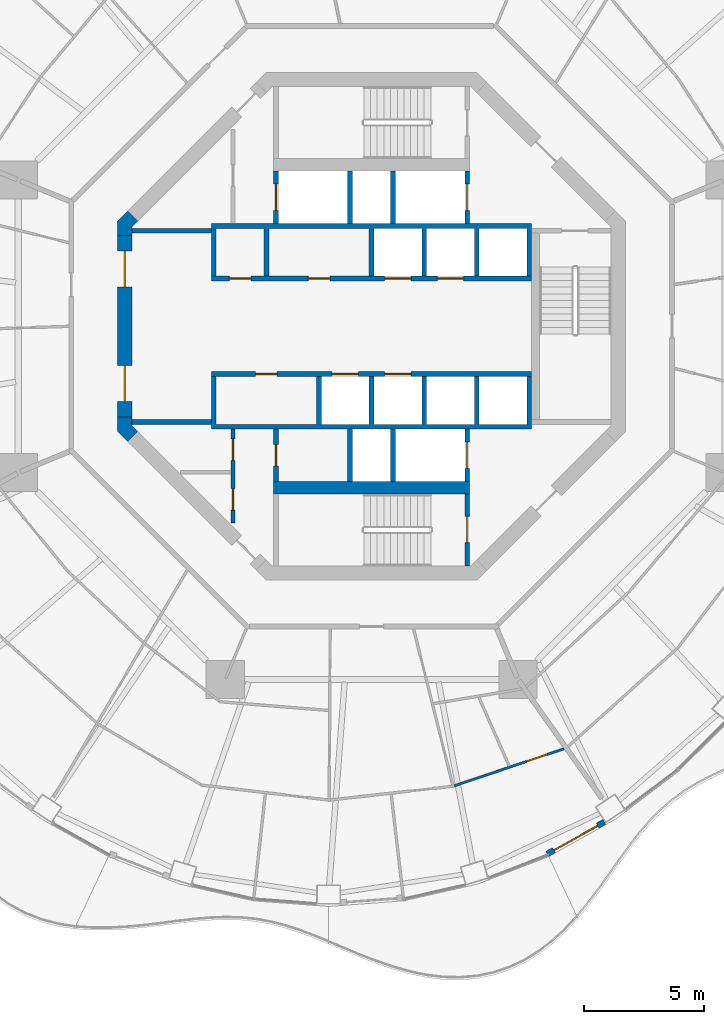
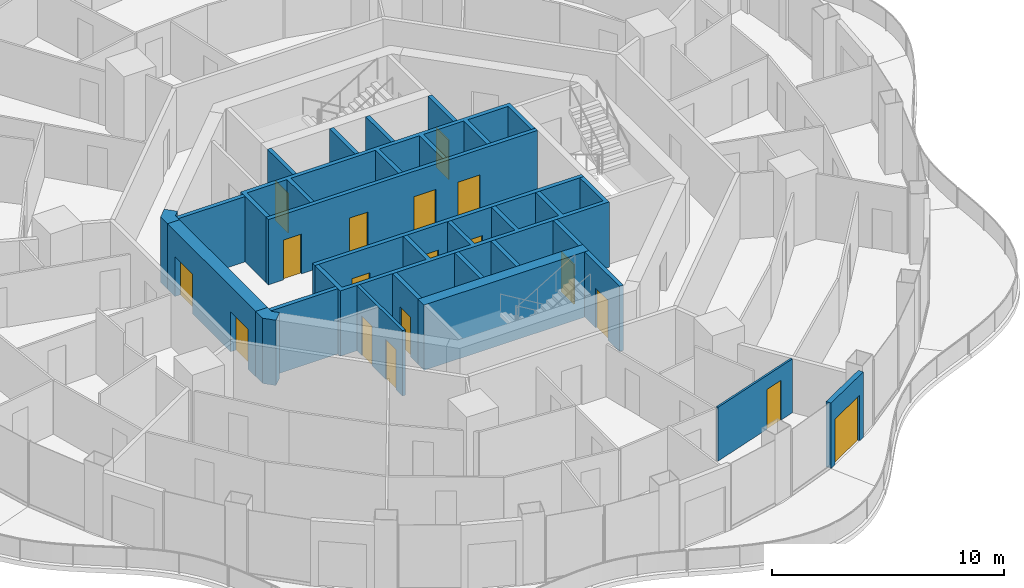
# One storey, part 11 of 18: 22 walls, 18 doors, 18 openings.
"""IFC4 building model written with IfcOpenShell, lengths in metres."""

from ifc_helpers import new_model, si_unit, direction, frame, frame_2d, origin, place, context, subcontext, project, spatial, polyline, rectangle, outline, extrude, material, layer, layer_set, type_object, element, fill, save


model = new_model("IFC4")

# Units and contexts
model_context = context("Model", 3, precision=1e-05, world=origin(), true_north=direction((0.0, 1.0)))
body_context = subcontext(model_context, "Body", "Model", "MODEL_VIEW")
ifc_project = project(units=[si_unit("LENGTHUNIT", "METRE"), si_unit("AREAUNIT", "SQUARE_METRE"), si_unit("VOLUMEUNIT", "CUBIC_METRE"), si_unit("PLANEANGLEUNIT", "RADIAN"), si_unit("MASSUNIT", "GRAM", prefix="KILO")], contexts=[model_context])

# Site, building, storey
site_placement = place(None, origin())
site = spatial("IfcSite", under=ifc_project, at=site_placement, CompositionType="ELEMENT")
building_placement = place(site_placement, origin())
building = spatial("IfcBuilding", under=site, at=building_placement, Name="Nagisa Residences", CompositionType="ELEMENT")
storey_placement = place(building_placement, frame((0.0, 0.0, 215.89990234375)))
storey = spatial("IfcBuildingStorey", under=building, at=storey_placement, Name="L54", CompositionType="ELEMENT", Elevation=215.89990234375)

# Wall, opening, door
ifc_material_1 = material(Name="Gypsum board on steel studs", Category="steel")
ifc_layer_1 = layer(ifc_material_1, 0.10009765625)
ifc_layer_set_1 = layer_set([ifc_layer_1], Name="Apartment partition 100")
wall_type_1 = type_object("IfcWallType", Name="Apartment partition 100", PredefinedType="PARTITIONING", material=ifc_layer_set_1)
wall_1_placement = place(storey_placement, frame((3.453125, -19.228759765625, 0.0), z_axis=(0.0, 0.0, 1.0), x_axis=(0.947565610716, 0.31956128268, 0.0)))
wall_1 = element("IfcWall", 1, at=wall_1_placement, inside=storey, type_object=wall_type_1, Name="wall:L54:u80", PredefinedType="PARTITIONING", context=body_context, shape_type="SweptSolid", body=[
    extrude(rectangle(XDim=4.852783203125, YDim=0.10009765625, at=frame_2d((2.42626953125, 0.0))), origin(), (0.0, 0.0, 1.0), 2.837158203125),
])
opening_1_placement = place(wall_1_placement, frame((3.2021484375, 0.0, 0.0)))
opening_1 = element("IfcOpeningElement", 2, at=opening_1_placement, cuts=wall_1, Name="Opening L54-U38", PredefinedType="OPENING", context=body_context, shape_type="SweptSolid", body=[
    extrude(rectangle(XDim=0.89990234375, YDim=2.10009765625, at=frame_2d((0.449951171875, 1.050048828125))), frame((0.0, 0.06005859375, 0.0), z_axis=(0.0, -1.0, 0.0), x_axis=(1.0, 0.0, 0.0)), (0.0, 0.0, 1.0), 0.1201171875),
])
ifc_material_2 = material(Name="Timber door set", Category="wood")
door_type_1 = type_object("IfcDoorType", Name="Apartment door 900x2100", OperationType="NOTDEFINED", PredefinedType="DOOR", material=ifc_material_2)
door_1_placement = place(opening_1_placement, origin())
door_1 = element("IfcDoor", 3, at=door_1_placement, inside=storey, type_object=door_type_1, Name="Door to en-suite bathroom, Apartment 54C", OperationType="SINGLE_SWING_RIGHT", OverallHeight=2.10009765625, OverallWidth=0.89990234375, PredefinedType="DOOR", context=body_context, shape_type="SweptSolid", body=[
    extrude(rectangle(XDim=0.89990234375, YDim=2.10009765625, at=frame_2d((0.449951171875, 1.050048828125))), frame((0.0, 0.02490234375, 0.0), z_axis=(0.0, -1.0, 0.0), x_axis=(1.0, 0.0, 0.0)), (0.0, 0.0, 1.0), 0.050048828125),
])
fill(opening_1, door_1)

ifc_material_3 = material(Name="Precast concrete C40/50", Category="concrete")
ifc_layer_2 = layer(ifc_material_3, 0.25)
ifc_layer_set_2 = layer_set([ifc_layer_2], Name="BALCONY DOOR WALL 250")
wall_type_2 = type_object("IfcWallType", Name="BALCONY DOOR WALL 250", PredefinedType="SOLIDWALL", material=ifc_layer_set_2)
wall_2_placement = place(storey_placement, frame((9.73779296875, -20.738525390625, 0.0), z_axis=(0.0, 0.0, 1.0), x_axis=(-0.872079929129, -0.489363461254, 0.0)))
wall_2 = element("IfcWall", 4, at=wall_2_placement, inside=storey, type_object=wall_type_2, Name="wall:L54:bay39", PredefinedType="SOLIDWALL", context=body_context, shape_type="SweptSolid", body=[
    extrude(rectangle(XDim=2.738037109375, YDim=0.25, at=frame_2d((1.369140625, 0.0))), origin(), (0.0, 0.0, 1.0), 3.440185546875),
])
opening_2_placement = place(wall_2_placement, frame((0.319091796875, 0.0, 0.0)))
opening_2 = element("IfcOpeningElement", 5, at=opening_2_placement, cuts=wall_2, Name="Opening BD-L54-14", PredefinedType="OPENING", context=body_context, shape_type="SweptSolid", body=[
    extrude(rectangle(XDim=2.10009765625, YDim=2.39990234375, at=frame_2d((1.050048828125, 1.199951171875))), frame((0.0, 0.135009765625, 0.0), z_axis=(0.0, -1.0, 0.0), x_axis=(1.0, 0.0, 0.0)), (0.0, 0.0, 1.0), 0.27001953125),
])
ifc_material_4 = material(Name="Aluminium and clear glass", Category="aluminium")
door_type_2 = type_object("IfcDoorType", Name="BALCONY SLIDING DOOR 2100x2400", OperationType="SLIDING_TO_LEFT", PredefinedType="DOOR", material=ifc_material_4)
door_2_placement = place(opening_2_placement, origin())
door_2 = element("IfcDoor", 6, at=door_2_placement, inside=storey, type_object=door_type_2, Name="door:L54:bay39", OperationType="SLIDING_TO_LEFT", OverallHeight=2.39990234375, OverallWidth=2.10009765625, PredefinedType="DOOR", context=body_context, shape_type="SweptSolid", body=[
    extrude(rectangle(XDim=2.10009765625, YDim=2.39990234375, at=frame_2d((1.050048828125, 1.199951171875))), frame((0.0, 0.02490234375, 0.0), z_axis=(0.0, -1.0, 0.0), x_axis=(1.0, 0.0, 0.0)), (0.0, 0.0, 1.0), 0.050048828125),
])
fill(opening_2, door_2)

# Wall, openings, doors
ifc_material_5 = material(Name="Gypsum board on steel studs", Category="steel")
ifc_layer_3 = layer(ifc_material_5, 0.14990234375)
ifc_layer_set_3 = layer_set([ifc_layer_3], Name="Core partition 150")
wall_type_3 = type_object("IfcWallType", Name="Core partition 150", PredefinedType="PARTITIONING", material=ifc_layer_set_3)
wall_3_placement = place(storey_placement, frame((-5.800048828125, -8.22705078125, 0.0), z_axis=(0.0, 0.0, 1.0), x_axis=(0.0, 1.0, 0.0)))
wall_3 = element("IfcWall", 7, at=wall_3_placement, inside=storey, type_object=wall_type_3, Name="wall:L54:SWp", PredefinedType="PARTITIONING", context=body_context, shape_type="SweptSolid", body=[
    extrude(rectangle(XDim=3.927001953125, YDim=0.14990234375, at=frame_2d((1.96337890625, 0.0))), origin(), (0.0, 0.0, 1.0), 3.440185546875),
])
opening_3_placement = place(wall_3_placement, frame((2.614501953125, 0.0, 0.0)))
opening_3 = element("IfcOpeningElement", 8, at=opening_3_placement, cuts=wall_3, Name="Opening L54-C12", PredefinedType="OPENING", context=body_context, shape_type="SweptSolid", body=[
    extrude(rectangle(XDim=0.89990234375, YDim=2.10009765625, at=frame_2d((0.449951171875, 1.050048828125))), frame((0.0, 0.0849609375, 0.0), z_axis=(0.0, -1.0, 0.0), x_axis=(1.0, 0.0, 0.0)), (0.0, 0.0, 1.0), 0.169921875),
])
opening_4_placement = place(wall_3_placement, frame((0.53857421875, 0.0, 0.0)))
opening_4 = element("IfcOpeningElement", 9, at=opening_4_placement, cuts=wall_3, Name="Opening L54-C13", PredefinedType="OPENING", context=body_context, shape_type="SweptSolid", body=[
    extrude(rectangle(XDim=0.89990234375, YDim=2.10009765625, at=frame_2d((0.449951171875, 1.050048828125))), frame((0.0, 0.0849609375, 0.0), z_axis=(0.0, -1.0, 0.0), x_axis=(1.0, 0.0, 0.0)), (0.0, 0.0, 1.0), 0.169921875),
])
ifc_material_6 = material(Name="Steel fire door", Category="steel")
door_type_3 = type_object("IfcDoorType", Name="Fire door EI30 900x2100 single swing", OperationType="NOTDEFINED", PredefinedType="DOOR", material=ifc_material_6)
door_3_placement = place(opening_3_placement, origin())
door_3 = element("IfcDoor", 10, at=door_3_placement, inside=storey, type_object=door_type_3, Name="Valet store door L54", OperationType="SINGLE_SWING_LEFT", OverallHeight=2.10009765625, OverallWidth=0.89990234375, PredefinedType="DOOR", context=body_context, shape_type="SweptSolid", body=[
    extrude(rectangle(XDim=0.89990234375, YDim=2.10009765625, at=frame_2d((0.449951171875, 1.050048828125))), frame((0.0, 0.02490234375, 0.0), z_axis=(0.0, -1.0, 0.0), x_axis=(1.0, 0.0, 0.0)), (0.0, 0.0, 1.0), 0.050048828125),
])
fill(opening_3, door_3)
door_4_placement = place(opening_4_placement, origin())
door_4 = element("IfcDoor", 11, at=door_4_placement, inside=storey, type_object=door_type_3, Name="Staff WC door L54", OperationType="SINGLE_SWING_LEFT", OverallHeight=2.10009765625, OverallWidth=0.89990234375, PredefinedType="DOOR", context=body_context, shape_type="SweptSolid", body=[
    extrude(rectangle(XDim=0.89990234375, YDim=2.10009765625, at=frame_2d((0.449951171875, 1.050048828125))), frame((0.0, 0.02490234375, 0.0), z_axis=(0.0, -1.0, 0.0), x_axis=(1.0, 0.0, 0.0)), (0.0, 0.0, 1.0), 0.050048828125),
])
fill(opening_4, door_4)

# Walls
ifc_material_7 = material(Name="Gypsum board on steel studs", Category="steel")
ifc_layer_4 = layer(ifc_material_7, 0.199951171875)
ifc_layer_set_4 = layer_set([ifc_layer_4], Name="Core partition 200")
wall_type_4 = type_object("IfcWallType", Name="Core partition 200", PredefinedType="PARTITIONING", material=ifc_layer_set_4)
for number, where, z_axis, x_axis, name in (
    (12, (-10.024658203125, -4.0, 0.0), (0.0, 0.0, 1.0), (1.0, 0.0, 0.0), "wall:L54:PSW"),
    (13, (-10.024658203125, 4.0, 0.0), (0.0, 0.0, 1.0), (1.0, 0.0, 0.0), "wall:L54:PNW"),
):
    element("IfcWall", number, at=place(storey_placement, frame(where, z_axis=z_axis, x_axis=x_axis)), inside=storey, type_object=wall_type_4, Name=name, PredefinedType="PARTITIONING", context=body_context, shape_type="SweptSolid", body=[
        extrude(rectangle(XDim=3.32470703125, YDim=0.199951171875, at=frame_2d((1.662353515625, 0.0))), origin(), (0.0, 0.0, 1.0), 3.440185546875),
    ])

# Wall, openings, doors
ifc_material_8 = material(Name="Concrete C60", Category="concrete")
ifc_layer_5 = layer(ifc_material_8, 0.60009765625)
ifc_layer_set_5 = layer_set([ifc_layer_5], Name="Core shear wall 600")
wall_type_5 = type_object("IfcWallType", Name="Core shear wall 600", PredefinedType="SHEAR", material=ifc_layer_set_5)
wall_4_placement = place(storey_placement, frame((-10.32470703125, 3.80078125, 0.0), z_axis=(0.0, 0.0, 1.0), x_axis=(0.0, -1.0, 0.0)))
wall_4 = element("IfcWall", 14, at=wall_4_placement, inside=storey, type_object=wall_type_5, Name="wall:L54:core:flat4", PredefinedType="SHEAR", context=body_context, shape_type="SweptSolid", body=[
    extrude(rectangle(XDim=7.6015625, YDim=0.60009765625, at=frame_2d((3.80078125, 0.0))), origin(), (0.0, 0.0, 1.0), 3.440185546875),
])
opening_5_placement = place(wall_4_placement, frame((0.65087890625, 0.0, 0.0)))
opening_5 = element("IfcOpeningElement", 15, at=opening_5_placement, cuts=wall_4, Name="Opening L54-C20", PredefinedType="OPENING", context=body_context, shape_type="SweptSolid", body=[
    extrude(rectangle(XDim=1.5, YDim=2.10009765625, at=frame_2d((0.75, 1.050048828125))), frame((0.0, 0.31005859375, 0.0), z_axis=(0.0, -1.0, 0.0), x_axis=(1.0, 0.0, 0.0)), (0.0, 0.0, 1.0), 0.6201171875),
])
opening_6_placement = place(wall_4_placement, frame((5.450927734375, 0.0, 0.0)))
opening_6 = element("IfcOpeningElement", 16, at=opening_6_placement, cuts=wall_4, Name="Opening L54-C21", PredefinedType="OPENING", context=body_context, shape_type="SweptSolid", body=[
    extrude(rectangle(XDim=1.5, YDim=2.10009765625, at=frame_2d((0.75, 1.050048828125))), frame((0.0, 0.31005859375, 0.0), z_axis=(0.0, -1.0, 0.0), x_axis=(1.0, 0.0, 0.0)), (0.0, 0.0, 1.0), 0.6201171875),
])
ifc_material_9 = material(Name="Steel fire door", Category="steel")
door_type_4 = type_object("IfcDoorType", Name="Fire door EI60 1500x2100 double door single swing", OperationType="DOUBLE_DOOR_SINGLE_SWING", PredefinedType="DOOR", material=ifc_material_9)
door_5_placement = place(opening_5_placement, origin())
door_5 = element("IfcDoor", 17, at=door_5_placement, inside=storey, type_object=door_type_4, Name="Lift lobby door L54 1", OperationType="DOUBLE_DOOR_SINGLE_SWING", OverallHeight=2.10009765625, OverallWidth=1.5, PredefinedType="DOOR", context=body_context, shape_type="SweptSolid", body=[
    extrude(rectangle(XDim=1.5, YDim=2.10009765625, at=frame_2d((0.75, 1.050048828125))), frame((0.0, 0.02490234375, 0.0), z_axis=(0.0, -1.0, 0.0), x_axis=(1.0, 0.0, 0.0)), (0.0, 0.0, 1.0), 0.050048828125),
])
fill(opening_5, door_5)
door_6_placement = place(opening_6_placement, origin())
door_6 = element("IfcDoor", 18, at=door_6_placement, inside=storey, type_object=door_type_4, Name="Lift lobby door L54 2", OperationType="DOUBLE_DOOR_SINGLE_SWING", OverallHeight=2.10009765625, OverallWidth=1.5, PredefinedType="DOOR", context=body_context, shape_type="SweptSolid", body=[
    extrude(rectangle(XDim=1.5, YDim=2.10009765625, at=frame_2d((0.75, 1.050048828125))), frame((0.0, 0.02490234375, 0.0), z_axis=(0.0, -1.0, 0.0), x_axis=(1.0, 0.0, 0.0)), (0.0, 0.0, 1.0), 0.050048828125),
])
fill(opening_6, door_6)

# Walls
wall_5_placement = place(storey_placement, origin())
element("IfcWall", 19, at=wall_5_placement, inside=storey, type_object=wall_type_5, Name="wall:L54:core:pier4", PredefinedType="SHEAR", context=body_context, shape_type="SweptSolid", body=[
    extrude(outline(polyline([(-10.62451171875, -3.80078125), (-10.024658203125, -3.80078125), (-10.024658203125, -4.15234375), (-9.776123046875, -4.40087890625), (-10.200439453125, -4.8251953125), (-10.62451171875, -4.40087890625), (-10.62451171875, -3.80078125)])), origin(), (0.0, 0.0, 1.0), 3.440185546875),
])
wall_6_placement = place(storey_placement, origin())
element("IfcWall", 20, at=wall_6_placement, inside=storey, type_object=wall_type_5, Name="wall:L54:core:pier3", PredefinedType="SHEAR", context=body_context, shape_type="SweptSolid", body=[
    extrude(outline(polyline([(-10.200439453125, 4.8251953125), (-9.776123046875, 4.40087890625), (-10.024658203125, 4.15234375), (-10.024658203125, 3.80078125), (-10.62451171875, 3.80078125), (-10.62451171875, 4.40087890625), (-10.200439453125, 4.8251953125)])), origin(), (0.0, 0.0, 1.0), 3.440185546875),
])

# Wall, opening, door
ifc_material_10 = material(Name="Concrete C60", Category="concrete")
ifc_layer_6 = layer(ifc_material_10, 0.199951171875)
ifc_layer_set_6 = layer_set([ifc_layer_6], Name="Lift shaft wall 200")
wall_type_6 = type_object("IfcWallType", Name="Lift shaft wall 200", PredefinedType="SOLIDWALL", material=ifc_layer_set_6)
wall_7_placement = place(storey_placement, frame((4.0, 4.300048828125, 0.0), z_axis=(0.0, 0.0, 1.0), x_axis=(0.0, 1.0, 0.0)))
wall_7 = element("IfcWall", 21, at=wall_7_placement, inside=storey, type_object=wall_type_6, Name="wall:L54:Nb3", PredefinedType="SOLIDWALL", context=body_context, shape_type="SweptSolid", body=[
    extrude(rectangle(XDim=2.199951171875, YDim=0.199951171875, at=frame_2d((1.10009765625, 0.0))), origin(), (0.0, 0.0, 1.0), 3.440185546875),
])
opening_7_placement = place(wall_7_placement, frame((0.550048828125, 0.0, 0.0)))
opening_7 = element("IfcOpeningElement", 22, at=opening_7_placement, cuts=wall_7, Name="Opening L54-C05", PredefinedType="OPENING", context=body_context, shape_type="SweptSolid", body=[
    extrude(rectangle(XDim=1.10009765625, YDim=2.10009765625, at=frame_2d((0.550048828125, 1.050048828125))), frame((0.0, 0.10986328125, 0.0), z_axis=(0.0, -1.0, 0.0), x_axis=(1.0, 0.0, 0.0)), (0.0, 0.0, 1.0), 0.219970703125),
])
ifc_material_11 = material(Name="Stainless steel", Category="steel")
door_type_5 = type_object("IfcDoorType", Name="Lift landing door 1100x2100", OperationType="DOUBLE_DOOR_SLIDING", PredefinedType="DOOR", material=ifc_material_11)
door_7_placement = place(opening_7_placement, origin())
door_7 = element("IfcDoor", 23, at=door_7_placement, inside=storey, type_object=door_type_5, Name="Landing door FL1 L54", OperationType="DOUBLE_DOOR_SLIDING", OverallHeight=2.10009765625, OverallWidth=1.10009765625, PredefinedType="DOOR", context=body_context, shape_type="SweptSolid", body=[
    extrude(rectangle(XDim=1.10009765625, YDim=2.10009765625, at=frame_2d((0.550048828125, 1.050048828125))), frame((0.0, 0.02490234375, 0.0), z_axis=(0.0, -1.0, 0.0), x_axis=(1.0, 0.0, 0.0)), (0.0, 0.0, 1.0), 0.050048828125),
])
fill(opening_7, door_7)

wall_8_placement = place(storey_placement, frame((-4.0, 4.300048828125, 0.0), z_axis=(0.0, 0.0, 1.0), x_axis=(0.0, 1.0, 0.0)))
wall_8 = element("IfcWall", 24, at=wall_8_placement, inside=storey, type_object=wall_type_6, Name="wall:L54:Nb4", PredefinedType="SOLIDWALL", context=body_context, shape_type="SweptSolid", body=[
    extrude(rectangle(XDim=2.199951171875, YDim=0.199951171875, at=frame_2d((1.10009765625, 0.0))), origin(), (0.0, 0.0, 1.0), 3.440185546875),
])
opening_8_placement = place(wall_8_placement, frame((0.550048828125, 0.0, 0.0)))
opening_8 = element("IfcOpeningElement", 25, at=opening_8_placement, cuts=wall_8, Name="Opening L54-C07", PredefinedType="OPENING", context=body_context, shape_type="SweptSolid", body=[
    extrude(rectangle(XDim=1.10009765625, YDim=2.10009765625, at=frame_2d((0.550048828125, 1.050048828125))), frame((0.0, 0.10986328125, 0.0), z_axis=(0.0, -1.0, 0.0), x_axis=(1.0, 0.0, 0.0)), (0.0, 0.0, 1.0), 0.219970703125),
])
door_8_placement = place(opening_8_placement, origin())
door_8 = element("IfcDoor", 26, at=door_8_placement, inside=storey, type_object=door_type_5, Name="Landing door SV L54", OperationType="DOUBLE_DOOR_SLIDING", OverallHeight=2.10009765625, OverallWidth=1.10009765625, PredefinedType="DOOR", context=body_context, shape_type="SweptSolid", body=[
    extrude(rectangle(XDim=1.10009765625, YDim=2.10009765625, at=frame_2d((0.550048828125, 1.050048828125))), frame((0.0, 0.02490234375, 0.0), z_axis=(0.0, -1.0, 0.0), x_axis=(1.0, 0.0, 0.0)), (0.0, 0.0, 1.0), 0.050048828125),
])
fill(opening_8, door_8)

# Wall, openings, doors
wall_9_placement = place(storey_placement, frame((-6.699951171875, 2.0, 0.0), z_axis=(0.0, 0.0, 1.0), x_axis=(1.0, 0.0, 0.0)))
wall_9 = element("IfcWall", 27, at=wall_9_placement, inside=storey, type_object=wall_type_6, Name="wall:L54:Nfront", PredefinedType="SOLIDWALL", context=body_context, shape_type="SweptSolid", body=[
    extrude(rectangle(XDim=13.39990234375, YDim=0.199951171875, at=frame_2d((6.699951171875, 0.0))), origin(), (0.0, 0.0, 1.0), 3.440185546875),
])
opening_9_placement = place(wall_9_placement, frame((7.25, 0.0, 0.0)))
opening_9 = element("IfcOpeningElement", 28, at=opening_9_placement, cuts=wall_9, Name="Opening L54-C01", PredefinedType="OPENING", context=body_context, shape_type="SweptSolid", body=[
    extrude(rectangle(XDim=1.10009765625, YDim=2.10009765625, at=frame_2d((0.550048828125, 1.050048828125))), frame((0.0, 0.10986328125, 0.0), z_axis=(0.0, -1.0, 0.0), x_axis=(1.0, 0.0, 0.0)), (0.0, 0.0, 1.0), 0.219970703125),
])
opening_10_placement = place(wall_9_placement, frame((9.449951171875, 0.0, 0.0)))
opening_10 = element("IfcOpeningElement", 29, at=opening_10_placement, cuts=wall_9, Name="Opening L54-C02", PredefinedType="OPENING", context=body_context, shape_type="SweptSolid", body=[
    extrude(rectangle(XDim=1.10009765625, YDim=2.10009765625, at=frame_2d((0.550048828125, 1.050048828125))), frame((0.0, 0.10986328125, 0.0), z_axis=(0.0, -1.0, 0.0), x_axis=(1.0, 0.0, 0.0)), (0.0, 0.0, 1.0), 0.219970703125),
])
opening_11_placement = place(wall_9_placement, frame((0.75, 0.0, 0.0)))
opening_11 = element("IfcOpeningElement", 30, at=opening_11_placement, cuts=wall_9, Name="Opening L54-C15", PredefinedType="OPENING", context=body_context, shape_type="SweptSolid", body=[
    extrude(rectangle(XDim=0.89990234375, YDim=2.10009765625, at=frame_2d((0.449951171875, 1.050048828125))), frame((0.0, 0.10986328125, 0.0), z_axis=(0.0, -1.0, 0.0), x_axis=(1.0, 0.0, 0.0)), (0.0, 0.0, 1.0), 0.219970703125),
])
opening_12_placement = place(wall_9_placement, frame((4.050048828125, 0.0, 0.0)))
opening_12 = element("IfcOpeningElement", 31, at=opening_12_placement, cuts=wall_9, Name="Opening L54-C16", PredefinedType="OPENING", context=body_context, shape_type="SweptSolid", body=[
    extrude(rectangle(XDim=0.89990234375, YDim=2.10009765625, at=frame_2d((0.449951171875, 1.050048828125))), frame((0.0, 0.10986328125, 0.0), z_axis=(0.0, -1.0, 0.0), x_axis=(1.0, 0.0, 0.0)), (0.0, 0.0, 1.0), 0.219970703125),
])
door_9_placement = place(opening_11_placement, origin())
door_9 = element("IfcDoor", 32, at=door_9_placement, inside=storey, type_object=door_type_3, Name="Wine store door L54", OperationType="SINGLE_SWING_RIGHT", OverallHeight=2.10009765625, OverallWidth=0.89990234375, PredefinedType="DOOR", context=body_context, shape_type="SweptSolid", body=[
    extrude(rectangle(XDim=0.89990234375, YDim=2.10009765625, at=frame_2d((0.449951171875, 1.050048828125))), frame((0.0, 0.02490234375, 0.0), z_axis=(0.0, -1.0, 0.0), x_axis=(1.0, 0.0, 0.0)), (0.0, 0.0, 1.0), 0.050048828125),
])
fill(opening_11, door_9)
door_10_placement = place(opening_12_placement, origin())
door_10 = element("IfcDoor", 33, at=door_10_placement, inside=storey, type_object=door_type_3, Name="Package room door L54", OperationType="SINGLE_SWING_RIGHT", OverallHeight=2.10009765625, OverallWidth=0.89990234375, PredefinedType="DOOR", context=body_context, shape_type="SweptSolid", body=[
    extrude(rectangle(XDim=0.89990234375, YDim=2.10009765625, at=frame_2d((0.449951171875, 1.050048828125))), frame((0.0, 0.02490234375, 0.0), z_axis=(0.0, -1.0, 0.0), x_axis=(1.0, 0.0, 0.0)), (0.0, 0.0, 1.0), 0.050048828125),
])
fill(opening_12, door_10)
door_11_placement = place(opening_9_placement, origin())
door_11 = element("IfcDoor", 34, at=door_11_placement, inside=storey, type_object=door_type_5, Name="Landing door B1 L54", OperationType="DOUBLE_DOOR_SLIDING", OverallHeight=2.10009765625, OverallWidth=1.10009765625, PredefinedType="DOOR", context=body_context, shape_type="SweptSolid", body=[
    extrude(rectangle(XDim=1.10009765625, YDim=2.10009765625, at=frame_2d((0.550048828125, 1.050048828125))), frame((0.0, 0.02490234375, 0.0), z_axis=(0.0, -1.0, 0.0), x_axis=(1.0, 0.0, 0.0)), (0.0, 0.0, 1.0), 0.050048828125),
])
fill(opening_9, door_11)
door_12_placement = place(opening_10_placement, origin())
door_12 = element("IfcDoor", 35, at=door_12_placement, inside=storey, type_object=door_type_5, Name="Landing door B2 L54", OperationType="DOUBLE_DOOR_SLIDING", OverallHeight=2.10009765625, OverallWidth=1.10009765625, PredefinedType="DOOR", context=body_context, shape_type="SweptSolid", body=[
    extrude(rectangle(XDim=1.10009765625, YDim=2.10009765625, at=frame_2d((0.550048828125, 1.050048828125))), frame((0.0, 0.02490234375, 0.0), z_axis=(0.0, -1.0, 0.0), x_axis=(1.0, 0.0, 0.0)), (0.0, 0.0, 1.0), 0.050048828125),
])
fill(opening_10, door_12)

# Wall, opening, door
wall_10_placement = place(storey_placement, frame((4.0, -6.5, 0.0), z_axis=(0.0, 0.0, 1.0), x_axis=(0.0, 1.0, 0.0)))
wall_10 = element("IfcWall", 36, at=wall_10_placement, inside=storey, type_object=wall_type_6, Name="wall:L54:Sb3", PredefinedType="SOLIDWALL", context=body_context, shape_type="SweptSolid", body=[
    extrude(rectangle(XDim=2.199951171875, YDim=0.199951171875, at=frame_2d((1.10009765625, 0.0))), origin(), (0.0, 0.0, 1.0), 3.440185546875),
])
opening_13_placement = place(wall_10_placement, frame((0.550048828125, 0.0, 0.0)))
opening_13 = element("IfcOpeningElement", 37, at=opening_13_placement, cuts=wall_10, Name="Opening L54-C06", PredefinedType="OPENING", context=body_context, shape_type="SweptSolid", body=[
    extrude(rectangle(XDim=1.10009765625, YDim=2.10009765625, at=frame_2d((0.550048828125, 1.050048828125))), frame((0.0, 0.10986328125, 0.0), z_axis=(0.0, -1.0, 0.0), x_axis=(1.0, 0.0, 0.0)), (0.0, 0.0, 1.0), 0.219970703125),
])
door_13_placement = place(opening_13_placement, origin())
door_13 = element("IfcDoor", 38, at=door_13_placement, inside=storey, type_object=door_type_5, Name="Landing door FL2 L54", OperationType="DOUBLE_DOOR_SLIDING", OverallHeight=2.10009765625, OverallWidth=1.10009765625, PredefinedType="DOOR", context=body_context, shape_type="SweptSolid", body=[
    extrude(rectangle(XDim=1.10009765625, YDim=2.10009765625, at=frame_2d((0.550048828125, 1.050048828125))), frame((0.0, 0.02490234375, 0.0), z_axis=(0.0, -1.0, 0.0), x_axis=(1.0, 0.0, 0.0)), (0.0, 0.0, 1.0), 0.050048828125),
])
fill(opening_13, door_13)

wall_11_placement = place(storey_placement, frame((-4.0, -6.5, 0.0), z_axis=(0.0, 0.0, 1.0), x_axis=(0.0, 1.0, 0.0)))
wall_11 = element("IfcWall", 39, at=wall_11_placement, inside=storey, type_object=wall_type_6, Name="wall:L54:Sb4", PredefinedType="SOLIDWALL", context=body_context, shape_type="SweptSolid", body=[
    extrude(rectangle(XDim=2.199951171875, YDim=0.199951171875, at=frame_2d((1.10009765625, 0.0))), origin(), (0.0, 0.0, 1.0), 3.440185546875),
])
opening_14_placement = place(wall_11_placement, frame((0.64990234375, 0.0, 0.0)))
opening_14 = element("IfcOpeningElement", 40, at=opening_14_placement, cuts=wall_11, Name="Opening L54-C14", PredefinedType="OPENING", context=body_context, shape_type="SweptSolid", body=[
    extrude(rectangle(XDim=0.89990234375, YDim=2.10009765625, at=frame_2d((0.449951171875, 1.050048828125))), frame((0.0, 0.10986328125, 0.0), z_axis=(0.0, -1.0, 0.0), x_axis=(1.0, 0.0, 0.0)), (0.0, 0.0, 1.0), 0.219970703125),
])
door_14_placement = place(opening_14_placement, frame((0.89990234375, 0.0, 0.0), x_axis=(-1.0, 0.0, 0.0)))
door_14 = element("IfcDoor", 41, at=door_14_placement, inside=storey, type_object=door_type_3, Name="Refuse room door L54", OperationType="SINGLE_SWING_LEFT", OverallHeight=2.10009765625, OverallWidth=0.89990234375, PredefinedType="DOOR", context=body_context, shape_type="SweptSolid", body=[
    extrude(rectangle(XDim=0.89990234375, YDim=2.10009765625, at=frame_2d((0.449951171875, 1.050048828125))), frame((0.0, 0.02490234375, 0.0), z_axis=(0.0, -1.0, 0.0), x_axis=(1.0, 0.0, 0.0)), (0.0, 0.0, 1.0), 0.050048828125),
])
fill(opening_14, door_14)

# Wall, openings, doors
wall_12_placement = place(storey_placement, frame((-6.699951171875, -2.0, 0.0), z_axis=(0.0, 0.0, 1.0), x_axis=(1.0, 0.0, 0.0)))
wall_12 = element("IfcWall", 42, at=wall_12_placement, inside=storey, type_object=wall_type_6, Name="wall:L54:Sfront", PredefinedType="SOLIDWALL", context=body_context, shape_type="SweptSolid", body=[
    extrude(rectangle(XDim=13.39990234375, YDim=0.199951171875, at=frame_2d((6.699951171875, 0.0))), origin(), (0.0, 0.0, 1.0), 3.440185546875),
])
opening_15_placement = place(wall_12_placement, frame((5.050048828125, 0.0, 0.0)))
opening_15 = element("IfcOpeningElement", 43, at=opening_15_placement, cuts=wall_12, Name="Opening L54-C03", PredefinedType="OPENING", context=body_context, shape_type="SweptSolid", body=[
    extrude(rectangle(XDim=1.10009765625, YDim=2.10009765625, at=frame_2d((0.550048828125, 1.050048828125))), frame((0.0, 0.10986328125, 0.0), z_axis=(0.0, -1.0, 0.0), x_axis=(1.0, 0.0, 0.0)), (0.0, 0.0, 1.0), 0.219970703125),
])
opening_16_placement = place(wall_12_placement, frame((7.25, 0.0, 0.0)))
opening_16 = element("IfcOpeningElement", 44, at=opening_16_placement, cuts=wall_12, Name="Opening L54-C04", PredefinedType="OPENING", context=body_context, shape_type="SweptSolid", body=[
    extrude(rectangle(XDim=1.10009765625, YDim=2.10009765625, at=frame_2d((0.550048828125, 1.050048828125))), frame((0.0, 0.10986328125, 0.0), z_axis=(0.0, -1.0, 0.0), x_axis=(1.0, 0.0, 0.0)), (0.0, 0.0, 1.0), 0.219970703125),
])
opening_17_placement = place(wall_12_placement, frame((1.85009765625, 0.0, 0.0)))
opening_17 = element("IfcOpeningElement", 45, at=opening_17_placement, cuts=wall_12, Name="Opening L54-C17", PredefinedType="OPENING", context=body_context, shape_type="SweptSolid", body=[
    extrude(rectangle(XDim=0.89990234375, YDim=2.10009765625, at=frame_2d((0.449951171875, 1.050048828125))), frame((0.0, 0.10986328125, 0.0), z_axis=(0.0, -1.0, 0.0), x_axis=(1.0, 0.0, 0.0)), (0.0, 0.0, 1.0), 0.219970703125),
])
door_15_placement = place(opening_17_placement, frame((0.89990234375, 0.0, 0.0), x_axis=(-1.0, 0.0, 0.0)))
door_15 = element("IfcDoor", 46, at=door_15_placement, inside=storey, type_object=door_type_3, Name="Linen store door L54", OperationType="SINGLE_SWING_LEFT", OverallHeight=2.10009765625, OverallWidth=0.89990234375, PredefinedType="DOOR", context=body_context, shape_type="SweptSolid", body=[
    extrude(rectangle(XDim=0.89990234375, YDim=2.10009765625, at=frame_2d((0.449951171875, 1.050048828125))), frame((0.0, 0.02490234375, 0.0), z_axis=(0.0, -1.0, 0.0), x_axis=(1.0, 0.0, 0.0)), (0.0, 0.0, 1.0), 0.050048828125),
])
fill(opening_17, door_15)
door_16_placement = place(opening_15_placement, origin())
door_16 = element("IfcDoor", 47, at=door_16_placement, inside=storey, type_object=door_type_5, Name="Landing door B3 L54", OperationType="DOUBLE_DOOR_SLIDING", OverallHeight=2.10009765625, OverallWidth=1.10009765625, PredefinedType="DOOR", context=body_context, shape_type="SweptSolid", body=[
    extrude(rectangle(XDim=1.10009765625, YDim=2.10009765625, at=frame_2d((0.550048828125, 1.050048828125))), frame((0.0, 0.02490234375, 0.0), z_axis=(0.0, -1.0, 0.0), x_axis=(1.0, 0.0, 0.0)), (0.0, 0.0, 1.0), 0.050048828125),
])
fill(opening_15, door_16)
door_17_placement = place(opening_16_placement, origin())
door_17 = element("IfcDoor", 48, at=door_17_placement, inside=storey, type_object=door_type_5, Name="Landing door B4 L54", OperationType="DOUBLE_DOOR_SLIDING", OverallHeight=2.10009765625, OverallWidth=1.10009765625, PredefinedType="DOOR", context=body_context, shape_type="SweptSolid", body=[
    extrude(rectangle(XDim=1.10009765625, YDim=2.10009765625, at=frame_2d((0.550048828125, 1.050048828125))), frame((0.0, 0.02490234375, 0.0), z_axis=(0.0, -1.0, 0.0), x_axis=(1.0, 0.0, 0.0)), (0.0, 0.0, 1.0), 0.050048828125),
])
fill(opening_16, door_17)

# Walls
for number, where, z_axis, x_axis, name in (
    (49, (-0.89990234375, 4.300048828125, 0.0), (0.0, 0.0, 1.0), (0.0, 1.0, 0.0), "wall:L54:Nb1"),
    (50, (0.89990234375, 4.300048828125, 0.0), (0.0, 0.0, 1.0), (0.0, 1.0, 0.0), "wall:L54:Nb2"),
):
    element("IfcWall", number, at=place(storey_placement, frame(where, z_axis=z_axis, x_axis=x_axis)), inside=storey, type_object=wall_type_6, Name=name, PredefinedType="SOLIDWALL", context=body_context, shape_type="SweptSolid", body=[
        extrude(rectangle(XDim=2.199951171875, YDim=0.199951171875, at=frame_2d((1.10009765625, 0.0))), origin(), (0.0, 0.0, 1.0), 3.440185546875),
    ])
wall_13_placement = place(storey_placement, origin())
element("IfcWall", 51, at=wall_13_placement, inside=storey, type_object=wall_type_6, Name="wall:L54:Nback", PredefinedType="SOLIDWALL", context=body_context, shape_type="SweptSolid", body=[
    extrude(outline(polyline([(-6.699951171875, 4.300048828125), (6.699951171875, 4.300048828125), (6.699951171875, 2.10009765625), (6.5, 2.10009765625), (6.5, 4.10009765625), (4.5, 4.10009765625), (4.5, 2.10009765625), (4.300048828125, 2.10009765625), (4.300048828125, 4.10009765625), (2.300048828125, 4.10009765625), (2.300048828125, 2.10009765625), (2.10009765625, 2.10009765625), (2.10009765625, 4.10009765625), (0.10009765625, 4.10009765625), (0.10009765625, 2.10009765625), (-0.10009765625, 2.10009765625), (-0.10009765625, 4.10009765625), (-4.300048828125, 4.10009765625), (-4.300048828125, 2.10009765625), (-4.5, 2.10009765625), (-4.5, 4.10009765625), (-6.5, 4.10009765625), (-6.5, 2.10009765625), (-6.699951171875, 2.10009765625), (-6.699951171875, 4.300048828125)])), origin(), (0.0, 0.0, 1.0), 3.440185546875),
])
for number, where, z_axis, x_axis, name in (
    (52, (-0.89990234375, -6.5, 0.0), (0.0, 0.0, 1.0), (0.0, 1.0, 0.0), "wall:L54:Sb1"),
    (53, (0.89990234375, -6.5, 0.0), (0.0, 0.0, 1.0), (0.0, 1.0, 0.0), "wall:L54:Sb2"),
):
    element("IfcWall", number, at=place(storey_placement, frame(where, z_axis=z_axis, x_axis=x_axis)), inside=storey, type_object=wall_type_6, Name=name, PredefinedType="SOLIDWALL", context=body_context, shape_type="SweptSolid", body=[
        extrude(rectangle(XDim=2.199951171875, YDim=0.199951171875, at=frame_2d((1.10009765625, 0.0))), origin(), (0.0, 0.0, 1.0), 3.440185546875),
    ])
wall_14_placement = place(storey_placement, origin())
element("IfcWall", 54, at=wall_14_placement, inside=storey, type_object=wall_type_6, Name="wall:L54:Sback", PredefinedType="SOLIDWALL", context=body_context, shape_type="SweptSolid", body=[
    extrude(outline(polyline([(-6.699951171875, -2.10009765625), (-6.5, -2.10009765625), (-6.5, -4.10009765625), (-2.300048828125, -4.10009765625), (-2.300048828125, -2.10009765625), (-2.10009765625, -2.10009765625), (-2.10009765625, -4.10009765625), (-0.10009765625, -4.10009765625), (-0.10009765625, -2.10009765625), (0.10009765625, -2.10009765625), (0.10009765625, -4.10009765625), (2.10009765625, -4.10009765625), (2.10009765625, -2.10009765625), (2.300048828125, -2.10009765625), (2.300048828125, -4.10009765625), (4.300048828125, -4.10009765625), (4.300048828125, -2.10009765625), (4.5, -2.10009765625), (4.5, -4.10009765625), (6.5, -4.10009765625), (6.5, -2.10009765625), (6.699951171875, -2.10009765625), (6.699951171875, -4.300048828125), (-6.699951171875, -4.300048828125), (-6.699951171875, -2.10009765625)])), origin(), (0.0, 0.0, 1.0), 3.440185546875),
])

# Wall, opening, door
ifc_material_12 = material(Name="Concrete C60", Category="concrete")
ifc_layer_7 = layer(ifc_material_12, 0.199951171875)
ifc_layer_set_7 = layer_set([ifc_layer_7], Name="Stair enclosure wall 200")
wall_type_7 = type_object("IfcWallType", Name="Stair enclosure wall 200", PredefinedType="SOLIDWALL", material=ifc_layer_set_7)
wall_15_placement = place(storey_placement, frame((4.0, -10.024658203125, 0.0), z_axis=(0.0, 0.0, 1.0), x_axis=(0.0, 1.0, 0.0)))
wall_15 = element("IfcWall", 55, at=wall_15_placement, inside=storey, type_object=wall_type_7, Name="wall:L54:SS_e", PredefinedType="SOLIDWALL", context=body_context, shape_type="SweptSolid", body=[
    extrude(rectangle(XDim=3.0, YDim=0.199951171875, at=frame_2d((1.5, 0.0))), origin(), (0.0, 0.0, 1.0), 3.440185546875),
])
opening_18_placement = place(wall_15_placement, frame((0.974609375, 0.0, 0.0)))
opening_18 = element("IfcOpeningElement", 56, at=opening_18_placement, cuts=wall_15, Name="Opening L54-C10", PredefinedType="OPENING", context=body_context, shape_type="SweptSolid", body=[
    extrude(rectangle(XDim=1.10009765625, YDim=2.10009765625, at=frame_2d((0.550048828125, 1.050048828125))), frame((0.0, 0.10986328125, 0.0), z_axis=(0.0, -1.0, 0.0), x_axis=(1.0, 0.0, 0.0)), (0.0, 0.0, 1.0), 0.219970703125),
])
ifc_material_13 = material(Name="Steel fire door", Category="steel")
door_type_6 = type_object("IfcDoorType", Name="Fire door EI90 1100x2100 single swing", OperationType="NOTDEFINED", PredefinedType="DOOR", material=ifc_material_13)
door_18_placement = place(opening_18_placement, origin())
door_18 = element("IfcDoor", 57, at=door_18_placement, inside=storey, type_object=door_type_6, Name="Stair door ST-S L54", OperationType="SINGLE_SWING_LEFT", OverallHeight=2.10009765625, OverallWidth=1.10009765625, PredefinedType="DOOR", context=body_context, shape_type="SweptSolid", body=[
    extrude(rectangle(XDim=1.10009765625, YDim=2.10009765625, at=frame_2d((0.550048828125, 1.050048828125))), frame((0.0, 0.02490234375, 0.0), z_axis=(0.0, -1.0, 0.0), x_axis=(1.0, 0.0, 0.0)), (0.0, 0.0, 1.0), 0.050048828125),
])
fill(opening_18, door_18)

# Wall
wall_16_placement = place(storey_placement, origin())
element("IfcWall", 58, at=wall_16_placement, inside=storey, type_object=wall_type_7, Name="wall:L54:SS_n", PredefinedType="SOLIDWALL", context=body_context, shape_type="SweptSolid", body=[
    extrude(outline(polyline([(4.10009765625, -7.024658203125), (-4.10009765625, -7.024658203125), (-4.10009765625, -6.5), (4.10009765625, -6.5), (4.10009765625, -7.024658203125)])), origin(), (0.0, 0.0, 1.0), 3.440185546875),
])

save(model, "model.ifc")
